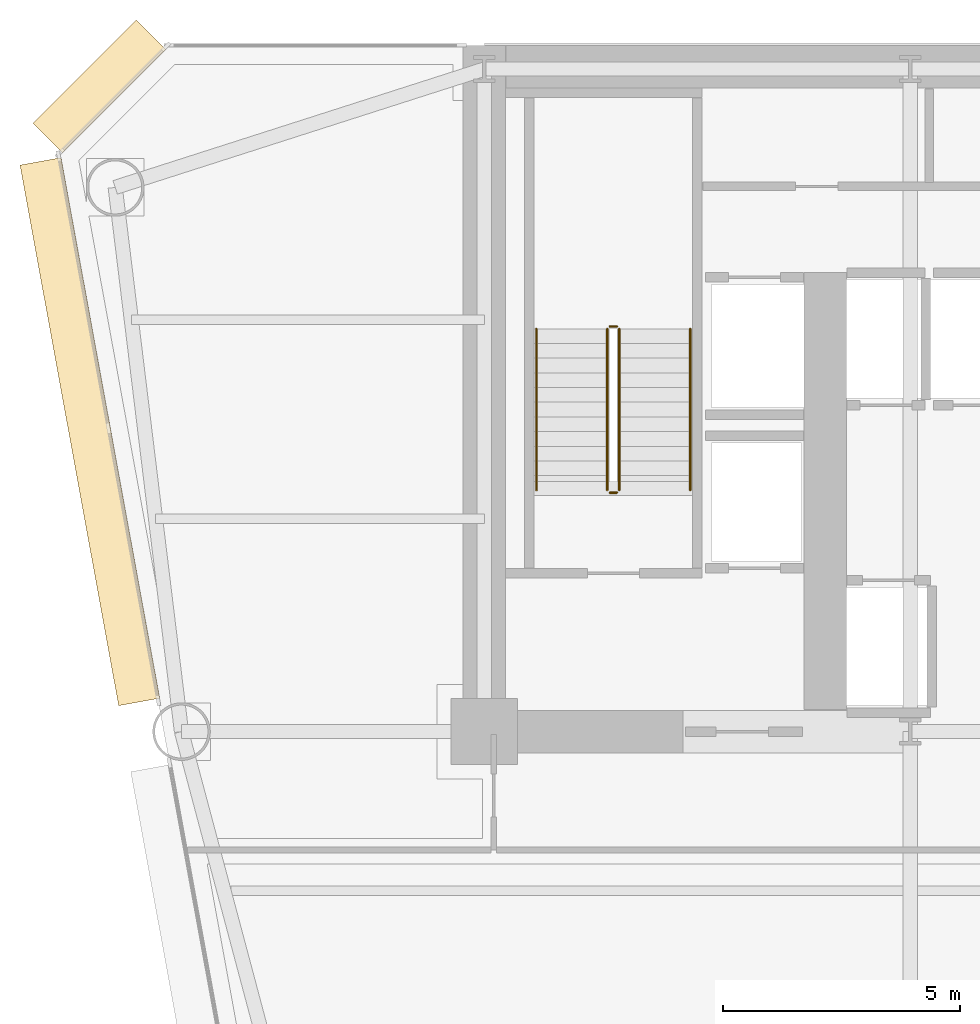
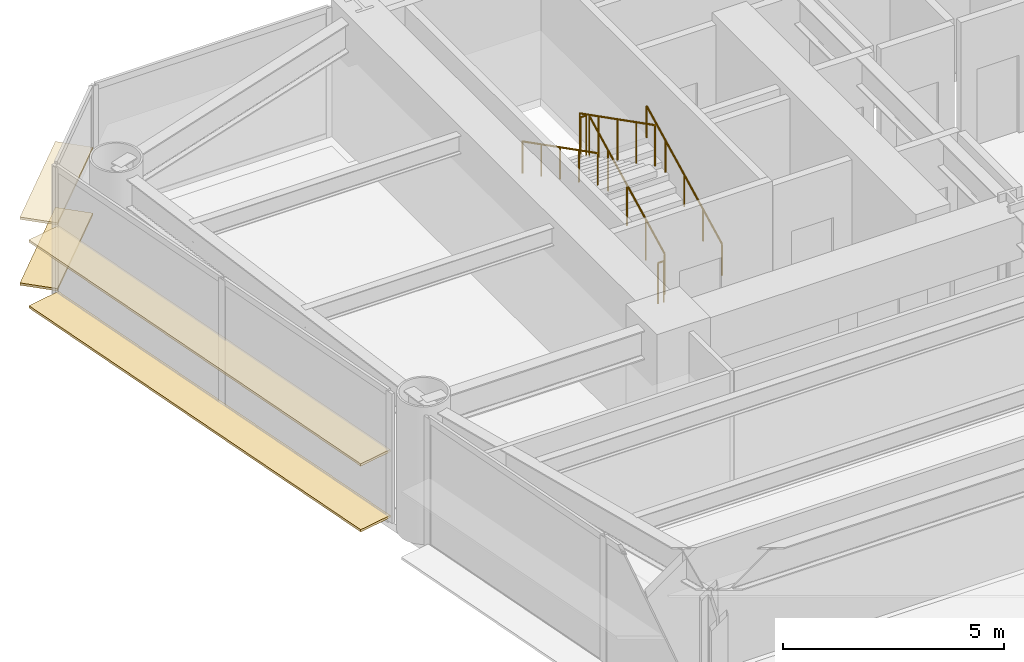
# One storey, part 12 of 14: 6 railings, 4 coverings.
"""IFC4 building model written with IfcOpenShell, lengths in metres."""

from ifc_helpers import new_model, si_unit, direction, frame, origin, origin_2d, place, context, subcontext, project, spatial, rectangle, circle, extrude, source, transform, mapped, material, layer, layer_set, type_object, element, save


model = new_model("IFC4")

# Units and contexts
model_context = context("Model", 3, precision=1e-05, world=origin(), true_north=direction((0.0, 1.0)))
body_context = subcontext(model_context, "Body", "Model", "MODEL_VIEW")
ifc_project = project(units=[si_unit("LENGTHUNIT", "METRE"), si_unit("AREAUNIT", "SQUARE_METRE"), si_unit("VOLUMEUNIT", "CUBIC_METRE"), si_unit("PLANEANGLEUNIT", "RADIAN"), si_unit("MASSUNIT", "GRAM", prefix="KILO")], contexts=[model_context])

# Site, building, storey
site_placement = place(None, origin())
site = spatial("IfcSite", under=ifc_project, at=site_placement, CompositionType="ELEMENT")
building_placement = place(site_placement, origin())
building = spatial("IfcBuilding", under=site, at=building_placement, Name="Vaeldorn Concourse Tower", CompositionType="ELEMENT")
storey_placement = place(building_placement, frame((0.0, 0.0, 68.199951171875)))
storey = spatial("IfcBuildingStorey", under=building, at=storey_placement, Name="L17", CompositionType="ELEMENT", Elevation=68.199951171875)

# Railings
ifc_material = material(Name="Anodised Bronze Aluminium", Category="aluminium")
railing_type_1 = type_object("IfcRailingType", Name="RL-STAIR-GUARD", PredefinedType="GUARDRAIL", material=ifc_material)
railing_1_placement = place(storey_placement, frame((16.85009765625, 41.60009765625, 0.158447265625)))
element("IfcRailing", 1, at=railing_1_placement, inside=storey, type_object=railing_type_1, Name="L17 ST-1 stair guard 1", PredefinedType="GUARDRAIL", context=body_context, shape_type="SweptSolid", body=[
    extrude(circle(Radius=0.02392578125, at=origin_2d()), frame((0.0, 0.0, 1.1259765625), z_axis=(0.0, 0.890555807335, 0.454873997962), x_axis=(-1.0, 0.0, 0.0)), (0.0, 0.0, 1.0), 3.828857421875),
    extrude(circle(Radius=0.02099609375, at=origin_2d()), origin(), (0.0, 0.0, 1.0), 1.101806640625),
    extrude(circle(Radius=0.02099609375, at=origin_2d()), frame((0.0, 0.8525390625, 0.435546875)), (0.0, 0.0, 1.0), 1.101806640625),
    extrude(circle(Radius=0.02099609375, at=origin_2d()), frame((0.0, 1.705078125, 0.870849609375)), (0.0, 0.0, 1.0), 1.101806640625),
    extrude(circle(Radius=0.02099609375, at=origin_2d()), frame((0.0, 2.557373046875, 1.30615234375)), (0.0, 0.0, 1.0), 1.101806640625),
    extrude(circle(Radius=0.02099609375, at=origin_2d()), frame((0.0, 3.409912109375, 1.74169921875)), (0.0, 0.0, 1.0), 1.101806640625),
])
railing_2_placement = place(storey_placement, frame((16.800048828125, 45.06005859375, 1.900146484375)))
element("IfcRailing", 2, at=railing_2_placement, inside=storey, type_object=railing_type_1, Name="L17 ST-1 stair guard 2", PredefinedType="GUARDRAIL", context=body_context, shape_type="SweptSolid", body=[
    extrude(circle(Radius=0.02392578125, at=origin_2d()), frame((0.0, 0.0, 1.1259765625), z_axis=(-1.0, 0.0, 0.0), x_axis=(0.0, -1.0, 0.0)), (0.0, 0.0, 1.0), 0.150146484375),
    extrude(circle(Radius=0.02099609375, at=origin_2d()), origin(), (0.0, 0.0, 1.0), 1.101806640625),
    extrude(circle(Radius=0.02099609375, at=origin_2d()), frame((-0.150146484375, 0.0, 0.0)), (0.0, 0.0, 1.0), 1.101806640625),
])
railing_3_placement = place(storey_placement, frame((16.60009765625, 45.010009765625, 2.058349609375)))
element("IfcRailing", 3, at=railing_3_placement, inside=storey, type_object=railing_type_1, Name="L17 ST-1 stair guard 3", PredefinedType="GUARDRAIL", context=body_context, shape_type="SweptSolid", body=[
    extrude(circle(Radius=0.02392578125, at=origin_2d()), frame((0.0, 0.0, 1.1259765625), z_axis=(0.0, -0.890555807335, 0.454873997962), x_axis=(1.0, 0.0, 0.0)), (0.0, 0.0, 1.0), 3.828857421875),
    extrude(circle(Radius=0.02099609375, at=origin_2d()), origin(), (0.0, 0.0, 1.0), 1.101806640625),
    extrude(circle(Radius=0.02099609375, at=origin_2d()), frame((0.0, -0.8525390625, 0.435546875)), (0.0, 0.0, 1.0), 1.101806640625),
    extrude(circle(Radius=0.02099609375, at=origin_2d()), frame((0.0, -1.705078125, 0.870849609375)), (0.0, 0.0, 1.0), 1.101806640625),
    extrude(circle(Radius=0.02099609375, at=origin_2d()), frame((0.0, -2.557373046875, 1.30615234375)), (0.0, 0.0, 1.0), 1.101806640625),
    extrude(circle(Radius=0.02099609375, at=origin_2d()), frame((0.0, -3.409912109375, 1.74169921875)), (0.0, 0.0, 1.0), 1.101806640625),
])
railing_4_placement = place(storey_placement, frame((16.800048828125, 41.550048828125, 0.0)))
element("IfcRailing", 4, at=railing_4_placement, inside=storey, type_object=railing_type_1, Name="L17 ST-1 stair guard 4", PredefinedType="GUARDRAIL", context=body_context, shape_type="SweptSolid", body=[
    extrude(circle(Radius=0.02392578125, at=origin_2d()), frame((0.0, 0.0, 1.1259765625), z_axis=(-1.0, 0.0, 0.0), x_axis=(0.0, -1.0, 0.0)), (0.0, 0.0, 1.0), 0.150146484375),
    extrude(circle(Radius=0.02099609375, at=origin_2d()), origin(), (0.0, 0.0, 1.0), 1.101806640625),
    extrude(circle(Radius=0.02099609375, at=origin_2d()), frame((-0.150146484375, 0.0, 0.0)), (0.0, 0.0, 1.0), 1.101806640625),
])
railing_type_2 = type_object("IfcRailingType", Name="RL-STAIR-HANDRAIL", PredefinedType="HANDRAIL", material=ifc_material)
railing_5_placement = place(storey_placement, frame((18.35009765625, 41.60009765625, 0.158447265625)))
element("IfcRailing", 5, at=railing_5_placement, inside=storey, type_object=railing_type_2, Name="L17 ST-1 stair handrail 1", PredefinedType="HANDRAIL", context=body_context, shape_type="SweptSolid", body=[
    extrude(circle(Radius=0.02392578125, at=origin_2d()), frame((0.0, 0.0, 0.8759765625), z_axis=(0.0, 0.890555807335, 0.454873997962), x_axis=(-1.0, 0.0, 0.0)), (0.0, 0.0, 1.0), 3.828857421875),
    extrude(circle(Radius=0.02099609375, at=origin_2d()), origin(), (0.0, 0.0, 1.0), 0.851806640625),
    extrude(circle(Radius=0.02099609375, at=origin_2d()), frame((0.0, 0.8525390625, 0.435546875)), (0.0, 0.0, 1.0), 0.851806640625),
    extrude(circle(Radius=0.02099609375, at=origin_2d()), frame((0.0, 1.705078125, 0.870849609375)), (0.0, 0.0, 1.0), 0.851806640625),
    extrude(circle(Radius=0.02099609375, at=origin_2d()), frame((0.0, 2.557373046875, 1.30615234375)), (0.0, 0.0, 1.0), 0.851806640625),
    extrude(circle(Radius=0.02099609375, at=origin_2d()), frame((0.0, 3.409912109375, 1.74169921875)), (0.0, 0.0, 1.0), 0.851806640625),
])
railing_6_placement = place(storey_placement, frame((15.10009765625, 45.010009765625, 2.058349609375)))
element("IfcRailing", 6, at=railing_6_placement, inside=storey, type_object=railing_type_2, Name="L17 ST-1 stair handrail 2", PredefinedType="HANDRAIL", context=body_context, shape_type="SweptSolid", body=[
    extrude(circle(Radius=0.02392578125, at=origin_2d()), frame((0.0, 0.0, 0.8759765625), z_axis=(0.0, -0.890555807335, 0.454873997962), x_axis=(1.0, 0.0, 0.0)), (0.0, 0.0, 1.0), 3.828857421875),
    extrude(circle(Radius=0.02099609375, at=origin_2d()), origin(), (0.0, 0.0, 1.0), 0.851806640625),
    extrude(circle(Radius=0.02099609375, at=origin_2d()), frame((0.0, -0.8525390625, 0.435546875)), (0.0, 0.0, 1.0), 0.851806640625),
    extrude(circle(Radius=0.02099609375, at=origin_2d()), frame((0.0, -1.705078125, 0.870849609375)), (0.0, 0.0, 1.0), 0.851806640625),
    extrude(circle(Radius=0.02099609375, at=origin_2d()), frame((0.0, -2.557373046875, 1.30615234375)), (0.0, 0.0, 1.0), 0.851806640625),
    extrude(circle(Radius=0.02099609375, at=origin_2d()), frame((0.0, -3.409912109375, 1.74169921875)), (0.0, 0.0, 1.0), 0.851806640625),
])

# Coverings
ifc_layer = layer(ifc_material, 0.06494140625)
ifc_layer_set = layer_set([ifc_layer], Name="Anodised Bronze Aluminium")
covering_type = type_object("IfcCoveringType", Name="SD-BRONZE-SUNSHADE", PredefinedType="USERDEFINED", material=ifc_layer_set)
shared_shape_1 = source(origin(), body_context, "Body", "SweptSolid", [
    extrude(rectangle(XDim=3.0927734375, YDim=0.8798828125, at=origin_2d()), origin(), (0.0, 0.0, 1.0), 0.06494140625),
])
for number, where, z_axis, x_axis, name in (
    (7, (5.8671875, 50.1328125, 0.047607421875), (0.0, 0.0, 1.0), (-0.707106781187, -0.707106781187, 0.0), "Horizontal Bronze Sunshade L17-E10.1.1"),
    (8, (5.8671875, 50.1328125, 1.86767578125), (0.0, 0.0, 1.0), (-0.707106781187, -0.707106781187, 0.0), "Horizontal Bronze Sunshade L17-E10.1.2"),
):
    element("IfcCovering", number, at=place(storey_placement, frame(where, z_axis=z_axis, x_axis=x_axis)), inside=storey, type_object=covering_type, Name=name, ObjectType="SUNSHADE", PredefinedType="USERDEFINED", context=body_context, shape_type="MappedRepresentation", body=[
        mapped(shared_shape_1, transform((0.0, 0.0, 0.0), scale=1.0)),
    ])
shared_shape_2 = source(origin(), body_context, "Body", "SweptSolid", [
    extrude(rectangle(XDim=11.61181640625, YDim=0.8798828125, at=origin_2d()), origin(), (0.0, 0.0, 1.0), 0.06494140625),
])
for number, where, z_axis, x_axis, name in (
    (9, (5.663330078125, 42.837890625, 0.047607421875), (0.0, 0.0, 1.0), (0.179557731787, -0.983747437585, 0.0), "Horizontal Bronze Sunshade L17-E11.1.1"),
    (10, (5.663330078125, 42.837890625, 1.86767578125), (0.0, 0.0, 1.0), (0.179557731787, -0.983747437585, 0.0), "Horizontal Bronze Sunshade L17-E11.1.2"),
):
    element("IfcCovering", number, at=place(storey_placement, frame(where, z_axis=z_axis, x_axis=x_axis)), inside=storey, type_object=covering_type, Name=name, ObjectType="SUNSHADE", PredefinedType="USERDEFINED", context=body_context, shape_type="MappedRepresentation", body=[
        mapped(shared_shape_2, transform((0.0, 0.0, 0.0), scale=1.0)),
    ])

save(model, "model.ifc")
